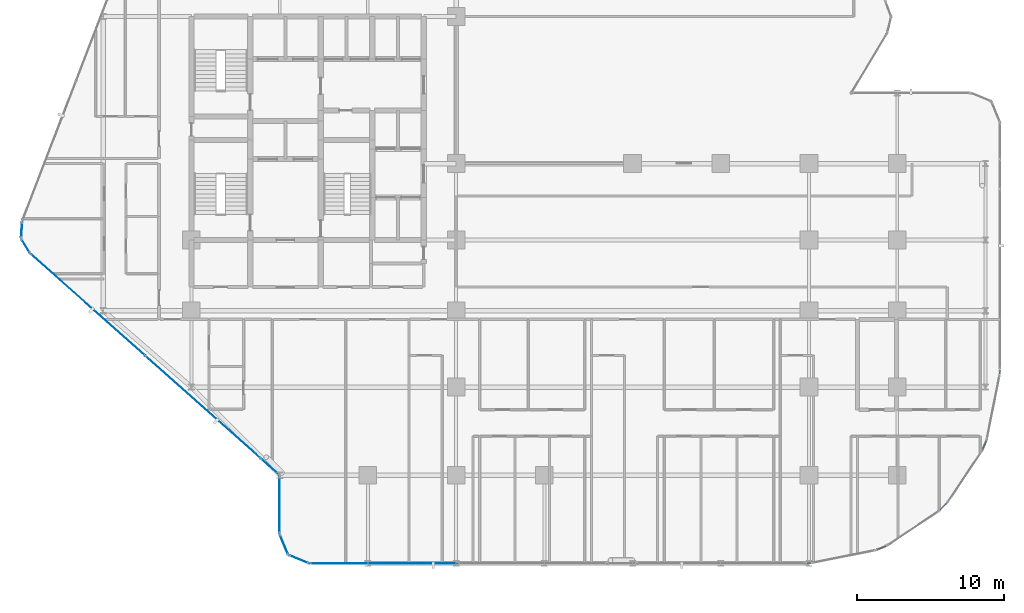
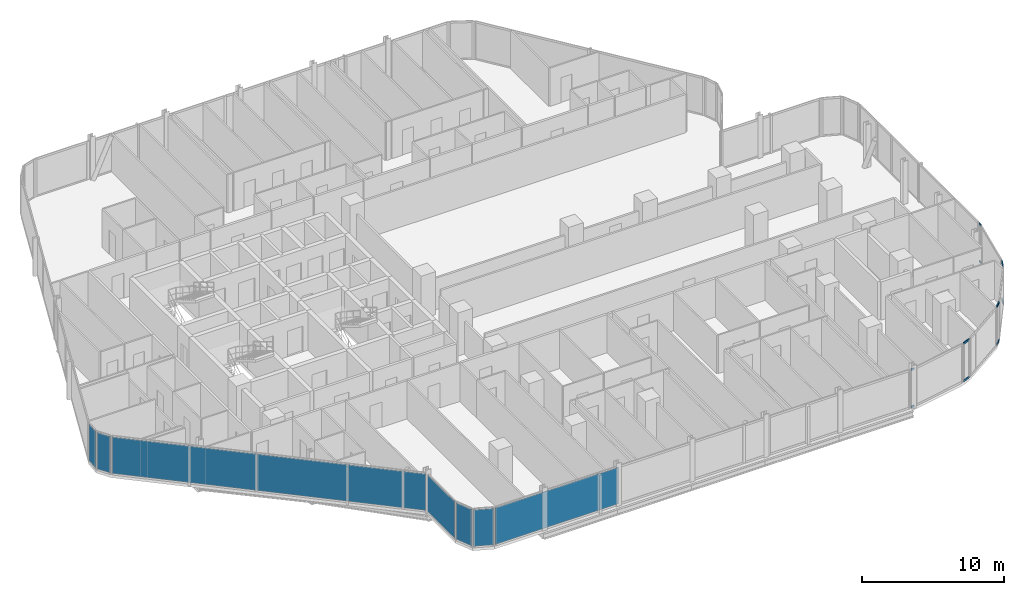
# One storey, part 20 of 34: 10 members, 9 plates, 13 elements without a shape of their own.
"""IFC4 building model written with IfcOpenShell, lengths in metres."""

from ifc_helpers import new_model, si_unit, direction, frame, origin, origin_2d, place, context, subcontext, project, spatial, rectangle, hollow_rectangle, extrude, material, layer, layer_set, material_profile, profile_set, type_object, element, aggregate, save


model = new_model("IFC4")

# Units and contexts
model_context = context("Model", 3, precision=1e-05, world=origin(), true_north=direction((0.0, 1.0)))
body_context = subcontext(model_context, "Body", "Model", "MODEL_VIEW")
ifc_project = project(units=[si_unit("LENGTHUNIT", "METRE"), si_unit("AREAUNIT", "SQUARE_METRE"), si_unit("VOLUMEUNIT", "CUBIC_METRE"), si_unit("PLANEANGLEUNIT", "RADIAN"), si_unit("MASSUNIT", "GRAM", prefix="KILO")], contexts=[model_context])

# Site, building, storey
site_placement = place(None, origin())
site = spatial("IfcSite", under=ifc_project, at=site_placement, CompositionType="ELEMENT")
building_placement = place(site_placement, origin())
building = spatial("IfcBuilding", under=site, at=building_placement, Name="Keshet Zoharim Tower", CompositionType="ELEMENT")
storey_placement = place(building_placement, frame((0.0, 0.0, 77.5)))
storey = spatial("IfcBuildingStorey", under=building, at=storey_placement, Name="L18", CompositionType="ELEMENT", Elevation=77.5)

# Curtain wall, members
ifc_material_1 = material(Name="Aluminium 6063-T6", Category="aluminium")
ifc_layer_1 = layer(ifc_material_1, 0.169921875)
ifc_layer_set_1 = layer_set([ifc_layer_1], Name="Aluminium 6063-T6")
curtain_wall_type_1 = type_object("IfcCurtainWallType", Name="CW-SYS-02", PredefinedType="NOTDEFINED", material=ifc_layer_set_1)
curtain_wall_1_placement = place(storey_placement, origin())
curtain_wall_1 = element("IfcCurtainWall", 1, at=curtain_wall_1_placement, inside=storey, type_object=curtain_wall_type_1, Name="L18 Unitised Curtain Wall 17", PredefinedType="NOTDEFINED")
ifc_material_profile = material_profile(ifc_material_1, hollow_rectangle(XDim=0.0849609375, YDim=0.159912109375, WallThickness=0.00439453125, at=origin_2d()), Name="TRN-85x160")
ifc_profile_set = profile_set([ifc_material_profile], Name="Aluminium 6063-T6")
member_type = type_object("IfcMemberType", Name="CWT-T16", PredefinedType="USERDEFINED", material=ifc_profile_set)
member_1_placement = place(storey_placement, frame((69.9931640625, 13.827392578125, 0.034912109375), z_axis=(-0.096912647607, -0.995292890929, 0.0), x_axis=(0.995292890929, -0.096912647607, 0.0)))
member_1 = element("IfcMember", 2, at=member_1_placement, type_object=member_type, Name="CW-02 transom 1.1", ObjectType="TRANSOM", PredefinedType="USERDEFINED", context=body_context, shape_type="SweptSolid", body=[
    extrude(hollow_rectangle(XDim=0.0849609375, YDim=0.159912109375, WallThickness=0.00439453125, at=origin_2d()), origin(), (0.0, 0.0, 1.0), 0.251953125),
])
member_2_placement = place(storey_placement, frame((69.9931640625, 13.827392578125, 3.2451171875), z_axis=(-0.096912647607, -0.995292890929, 0.0), x_axis=(0.995292890929, -0.096912647607, 0.0)))
member_2 = element("IfcMember", 3, at=member_2_placement, type_object=member_type, Name="CW-02 transom 1.2", ObjectType="TRANSOM", PredefinedType="USERDEFINED", context=body_context, shape_type="SweptSolid", body=[
    extrude(hollow_rectangle(XDim=0.0849609375, YDim=0.159912109375, WallThickness=0.00439453125, at=origin_2d()), origin(), (0.0, 0.0, 1.0), 0.251953125),
])
aggregate(curtain_wall_1, [member_1, member_2])

ifc_layer_2 = layer(ifc_material_1, 0.179931640625)
ifc_layer_set_2 = layer_set([ifc_layer_2], Name="Aluminium 6063-T6")
curtain_wall_type_2 = type_object("IfcCurtainWallType", Name="CW-SYS-01", PredefinedType="NOTDEFINED", material=ifc_layer_set_2)
curtain_wall_2_placement = place(storey_placement, origin())
curtain_wall_2 = element("IfcCurtainWall", 4, at=curtain_wall_2_placement, inside=storey, type_object=curtain_wall_type_2, Name="L18 Unitised Curtain Wall 19", PredefinedType="NOTDEFINED")
member_3_placement = place(storey_placement, frame((69.061279296875, 9.05029296875, 0.034912109375), z_axis=(-0.383126096215, -0.923696050874, 0.0), x_axis=(0.923696050874, -0.383126096215, 0.0)))
member_3 = element("IfcMember", 5, at=member_3_placement, type_object=member_type, Name="CW-01 transom 1.1", ObjectType="TRANSOM", PredefinedType="USERDEFINED", context=body_context, shape_type="SweptSolid", body=[
    extrude(hollow_rectangle(XDim=0.0849609375, YDim=0.159912109375, WallThickness=0.00439453125, at=origin_2d()), origin(), (0.0, 0.0, 1.0), 0.640380859375),
])
member_4_placement = place(storey_placement, frame((69.061279296875, 9.05029296875, 3.2451171875), z_axis=(-0.383126096215, -0.923696050874, 0.0), x_axis=(0.923696050874, -0.383126096215, 0.0)))
member_4 = element("IfcMember", 6, at=member_4_placement, type_object=member_type, Name="CW-01 transom 1.2", ObjectType="TRANSOM", PredefinedType="USERDEFINED", context=body_context, shape_type="SweptSolid", body=[
    extrude(hollow_rectangle(XDim=0.0849609375, YDim=0.159912109375, WallThickness=0.00439453125, at=origin_2d()), origin(), (0.0, 0.0, 1.0), 0.640380859375),
])
aggregate(curtain_wall_2, [member_3, member_4])

curtain_wall_3_placement = place(storey_placement, origin())
curtain_wall_3 = element("IfcCurtainWall", 7, at=curtain_wall_3_placement, inside=storey, type_object=curtain_wall_type_2, Name="L18 Unitised Curtain Wall 21", PredefinedType="NOTDEFINED")
member_5_placement = place(storey_placement, frame((66.363525390625, 4.78857421875, 0.034912109375), z_axis=(-0.707106781187, -0.707106781187, 0.0), x_axis=(0.707106781187, -0.707106781187, 0.0)))
member_5 = element("IfcMember", 8, at=member_5_placement, type_object=member_type, Name="CW-01 transom 1.1", ObjectType="TRANSOM", PredefinedType="USERDEFINED", context=body_context, shape_type="SweptSolid", body=[
    extrude(hollow_rectangle(XDim=0.0849609375, YDim=0.159912109375, WallThickness=0.00439453125, at=origin_2d()), origin(), (0.0, 0.0, 1.0), 0.639404296875),
])
member_6_placement = place(storey_placement, frame((66.363525390625, 4.78857421875, 3.2451171875), z_axis=(-0.707106781187, -0.707106781187, 0.0), x_axis=(0.707106781187, -0.707106781187, 0.0)))
member_6 = element("IfcMember", 9, at=member_6_placement, type_object=member_type, Name="CW-01 transom 1.2", ObjectType="TRANSOM", PredefinedType="USERDEFINED", context=body_context, shape_type="SweptSolid", body=[
    extrude(hollow_rectangle(XDim=0.0849609375, YDim=0.159912109375, WallThickness=0.00439453125, at=origin_2d()), origin(), (0.0, 0.0, 1.0), 0.639404296875),
])
aggregate(curtain_wall_3, [member_5, member_6])

curtain_wall_4_placement = place(storey_placement, origin())
curtain_wall_4 = element("IfcCurtainWall", 10, at=curtain_wall_4_placement, inside=storey, type_object=curtain_wall_type_2, Name="L18 Unitised Curtain Wall 23", PredefinedType="NOTDEFINED")
member_7_placement = place(storey_placement, frame((62.241455078125, 1.88427734375, 0.034912109375), z_axis=(-0.923751978938, -0.382991228891, 0.0), x_axis=(0.382991228891, -0.923751978938, 0.0)))
member_7 = element("IfcMember", 11, at=member_7_placement, type_object=member_type, Name="CW-01 transom 1.1", ObjectType="TRANSOM", PredefinedType="USERDEFINED", context=body_context, shape_type="SweptSolid", body=[
    extrude(hollow_rectangle(XDim=0.0849609375, YDim=0.159912109375, WallThickness=0.00439453125, at=origin_2d()), origin(), (0.0, 0.0, 1.0), 0.640625),
])
member_8_placement = place(storey_placement, frame((62.241455078125, 1.88427734375, 3.2451171875), z_axis=(-0.923751978938, -0.382991228891, 0.0), x_axis=(0.382991228891, -0.923751978938, 0.0)))
member_8 = element("IfcMember", 12, at=member_8_placement, type_object=member_type, Name="CW-01 transom 1.2", ObjectType="TRANSOM", PredefinedType="USERDEFINED", context=body_context, shape_type="SweptSolid", body=[
    extrude(hollow_rectangle(XDim=0.0849609375, YDim=0.159912109375, WallThickness=0.00439453125, at=origin_2d()), origin(), (0.0, 0.0, 1.0), 0.640625),
])
aggregate(curtain_wall_4, [member_7, member_8])

curtain_wall_5_placement = place(storey_placement, origin())
curtain_wall_5 = element("IfcCurtainWall", 13, at=curtain_wall_5_placement, inside=storey, type_object=curtain_wall_type_2, Name="L18 Unitised Curtain Wall 25", PredefinedType="NOTDEFINED")
member_9_placement = place(storey_placement, frame((57.123291015625, 0.731201171875, 0.034912109375), z_axis=(-0.995292890929, -0.096912647607, 0.0), x_axis=(0.096912647607, -0.995292890929, 0.0)))
member_9 = element("IfcMember", 14, at=member_9_placement, type_object=member_type, Name="CW-01 transom 1.1", ObjectType="TRANSOM", PredefinedType="USERDEFINED", context=body_context, shape_type="SweptSolid", body=[
    extrude(hollow_rectangle(XDim=0.0849609375, YDim=0.159912109375, WallThickness=0.00439453125, at=origin_2d()), origin(), (0.0, 0.0, 1.0), 0.251953125),
])
member_10_placement = place(storey_placement, frame((57.123291015625, 0.731201171875, 3.2451171875), z_axis=(-0.995292890929, -0.096912647607, 0.0), x_axis=(0.096912647607, -0.995292890929, 0.0)))
member_10 = element("IfcMember", 15, at=member_10_placement, type_object=member_type, Name="CW-01 transom 1.2", ObjectType="TRANSOM", PredefinedType="USERDEFINED", context=body_context, shape_type="SweptSolid", body=[
    extrude(hollow_rectangle(XDim=0.0849609375, YDim=0.159912109375, WallThickness=0.00439453125, at=origin_2d()), origin(), (0.0, 0.0, 1.0), 0.251953125),
])
aggregate(curtain_wall_5, [member_9, member_10])

# Curtain wall, plates
curtain_wall_6_placement = place(storey_placement, origin())
curtain_wall_6 = element("IfcCurtainWall", 16, at=curtain_wall_6_placement, inside=storey, type_object=curtain_wall_type_2, Name="L18 Unitised Curtain Wall 01 Part 2", PredefinedType="NOTDEFINED")
ifc_material_2 = material(Name="Insulated Low-E Clear Glass", Category="glass")
ifc_layer_3 = layer(ifc_material_2, 0.035888671875)
ifc_layer_set_3 = layer_set([ifc_layer_3], Name="Insulated Low-E Clear Glass")
plate_type_1 = type_object("IfcPlateType", Name="CWP-01", PredefinedType="CURTAIN_PANEL", material=ifc_layer_set_3)
plate_1_placement = place(storey_placement, frame((15.78564453125, 11.3349609375, 0.06982421875), z_axis=(0.0, 0.0, 1.0), x_axis=(-0.747409582171, 0.664363542406, 0.0)))
plate_1 = element("IfcPlate", 17, at=plate_1_placement, type_object=plate_type_1, Name="CW-01 panel 1.1", PredefinedType="CURTAIN_PANEL", context=body_context, shape_type="SweptSolid", body=[
    extrude(rectangle(XDim=10.4345703125, YDim=0.035888671875, at=origin_2d()), origin(), (0.0, 0.0, 1.0), 3.139892578125),
])
plate_2_placement = place(storey_placement, frame((7.960693359375, 18.29052734375, 0.06982421875), z_axis=(0.0, 0.0, 1.0), x_axis=(-0.747409582171, 0.664363542406, 0.0)))
plate_2 = element("IfcPlate", 18, at=plate_2_placement, type_object=plate_type_1, Name="CW-01 panel 2.1", PredefinedType="CURTAIN_PANEL", context=body_context, shape_type="SweptSolid", body=[
    extrude(rectangle(XDim=10.364501953125, YDim=0.035888671875, at=origin_2d()), origin(), (0.0, 0.0, 1.0), 3.139892578125),
])
aggregate(curtain_wall_6, [plate_1, plate_2])

# Curtain wall, plate
curtain_wall_7_placement = place(storey_placement, origin())
curtain_wall_7 = element("IfcCurtainWall", 19, at=curtain_wall_7_placement, inside=storey, type_object=curtain_wall_type_2, Name="L18 Unitised Curtain Wall 02", PredefinedType="NOTDEFINED")
plate_3_placement = place(storey_placement, frame((3.7275390625, 22.291015625, 0.06982421875), z_axis=(0.0, 0.0, 1.0), x_axis=(-0.515604947933, 0.856826433805, 0.0)))
plate_3 = element("IfcPlate", 20, at=plate_3_placement, type_object=plate_type_1, Name="CW-01 panel 1.1", PredefinedType="CURTAIN_PANEL", context=body_context, shape_type="SweptSolid", body=[
    extrude(rectangle(XDim=1.052734375, YDim=0.035888671875, at=origin_2d()), origin(), (0.0, 0.0, 1.0), 3.139892578125),
])
aggregate(curtain_wall_7, [plate_3])

curtain_wall_8_placement = place(storey_placement, origin())
curtain_wall_8 = element("IfcCurtainWall", 21, at=curtain_wall_8_placement, inside=storey, type_object=curtain_wall_type_2, Name="L18 Unitised Curtain Wall 03", PredefinedType="NOTDEFINED")
plate_4_placement = place(storey_placement, frame((3.45849609375, 23.3974609375, 0.06982421875), z_axis=(0.0, 0.0, 1.0), x_axis=(0.064516859374, 0.997916617186, 0.0)))
plate_4 = element("IfcPlate", 22, at=plate_4_placement, type_object=plate_type_1, Name="CW-01 panel 1.1", PredefinedType="CURTAIN_PANEL", context=body_context, shape_type="SweptSolid", body=[
    extrude(rectangle(XDim=1.053466796875, YDim=0.035888671875, at=origin_2d()), origin(), (0.0, 0.0, 1.0), 3.139892578125),
])
aggregate(curtain_wall_8, [plate_4])

curtain_wall_9_placement = place(storey_placement, origin())
curtain_wall_9 = element("IfcCurtainWall", 23, at=curtain_wall_9_placement, inside=storey, type_object=curtain_wall_type_2, Name="L18 Unitised Curtain Wall 26 Part 3", PredefinedType="NOTDEFINED")
plate_5_placement = place(storey_placement, frame((28.0771484375, 0.699951171875, 0.06982421875), z_axis=(0.0, 0.0, 1.0), x_axis=(-1.0, 0.0, 0.0)))
plate_5 = element("IfcPlate", 24, at=plate_5_placement, type_object=plate_type_1, Name="CW-01 panel 2.1", PredefinedType="CURTAIN_PANEL", context=body_context, shape_type="SweptSolid", body=[
    extrude(rectangle(XDim=10.01416015625, YDim=0.035888671875, at=origin_2d()), origin(), (0.0, 0.0, 1.0), 3.139892578125),
])
aggregate(curtain_wall_9, [plate_5])

curtain_wall_10_placement = place(storey_placement, origin())
curtain_wall_10 = element("IfcCurtainWall", 25, at=curtain_wall_10_placement, inside=storey, type_object=curtain_wall_type_2, Name="L18 Unitised Curtain Wall 27", PredefinedType="NOTDEFINED")
plate_6_placement = place(storey_placement, frame((22.29296875, 0.992919921875, 0.06982421875), z_axis=(0.0, 0.0, 1.0), x_axis=(-0.92380975372, 0.382851849847, 0.0)))
plate_6 = element("IfcPlate", 26, at=plate_6_placement, type_object=plate_type_1, Name="CW-01 panel 1.1", PredefinedType="CURTAIN_PANEL", context=body_context, shape_type="SweptSolid", body=[
    extrude(rectangle(XDim=1.390625, YDim=0.035888671875, at=origin_2d()), origin(), (0.0, 0.0, 1.0), 3.139892578125),
])
aggregate(curtain_wall_10, [plate_6])

curtain_wall_11_placement = place(storey_placement, origin())
curtain_wall_11 = element("IfcCurtainWall", 27, at=curtain_wall_11_placement, inside=storey, type_object=curtain_wall_type_2, Name="L18 Unitised Curtain Wall 28", PredefinedType="NOTDEFINED")
plate_7_placement = place(storey_placement, frame((21.29296875, 1.992919921875, 0.06982421875), z_axis=(0.0, 0.0, 1.0), x_axis=(-0.382851849847, 0.92380975372, 0.0)))
plate_7 = element("IfcPlate", 28, at=plate_7_placement, type_object=plate_type_1, Name="CW-01 panel 1.1", PredefinedType="CURTAIN_PANEL", context=body_context, shape_type="SweptSolid", body=[
    extrude(rectangle(XDim=1.390625, YDim=0.035888671875, at=origin_2d()), origin(), (0.0, 0.0, 1.0), 3.139892578125),
])
aggregate(curtain_wall_11, [plate_7])

curtain_wall_12_placement = place(storey_placement, origin())
curtain_wall_12 = element("IfcCurtainWall", 29, at=curtain_wall_12_placement, inside=storey, type_object=curtain_wall_type_2, Name="L18 Unitised Curtain Wall 29", PredefinedType="NOTDEFINED")
plate_8_placement = place(storey_placement, frame((21.0, 4.699951171875, 0.06982421875), z_axis=(0.0, 0.0, 1.0), x_axis=(0.0, 1.0, 0.0)))
plate_8 = element("IfcPlate", 30, at=plate_8_placement, type_object=plate_type_1, Name="CW-01 panel 1.1", PredefinedType="CURTAIN_PANEL", context=body_context, shape_type="SweptSolid", body=[
    extrude(rectangle(XDim=3.860107421875, YDim=0.035888671875, at=origin_2d()), origin(), (0.0, 0.0, 1.0), 3.139892578125),
])
aggregate(curtain_wall_12, [plate_8])

curtain_wall_13_placement = place(storey_placement, origin())
curtain_wall_13 = element("IfcCurtainWall", 31, at=curtain_wall_13_placement, inside=storey, type_object=curtain_wall_type_2, Name="L18 Unitised Curtain Wall 01", PredefinedType="NOTDEFINED")
ifc_material_3 = material(Name="Insulated Aluminium Spandrel Panel", Category="aluminium")
ifc_layer_4 = layer(ifc_material_3, 0.035888671875)
ifc_layer_set_4 = layer_set([ifc_layer_4], Name="Insulated Aluminium Spandrel Panel")
plate_type_2 = type_object("IfcPlateType", Name="CWP-04", PredefinedType="CURTAIN_PANEL", material=ifc_layer_set_4)
plate_9_placement = place(storey_placement, frame((20.342529296875, 7.284423828125, 0.06982421875), z_axis=(0.0, 0.0, 1.0), x_axis=(-0.747406182839, 0.664367366638, 0.0)))
plate_9 = element("IfcPlate", 32, at=plate_9_placement, type_object=plate_type_2, Name="CW-01 spandrel panel 1.1", PredefinedType="CURTAIN_PANEL", context=body_context, shape_type="SweptSolid", body=[
    extrude(rectangle(XDim=1.619384765625, YDim=0.035888671875, at=origin_2d()), origin(), (0.0, 0.0, 1.0), 3.139892578125),
])
aggregate(curtain_wall_13, [plate_9])

save(model, "model.ifc")
